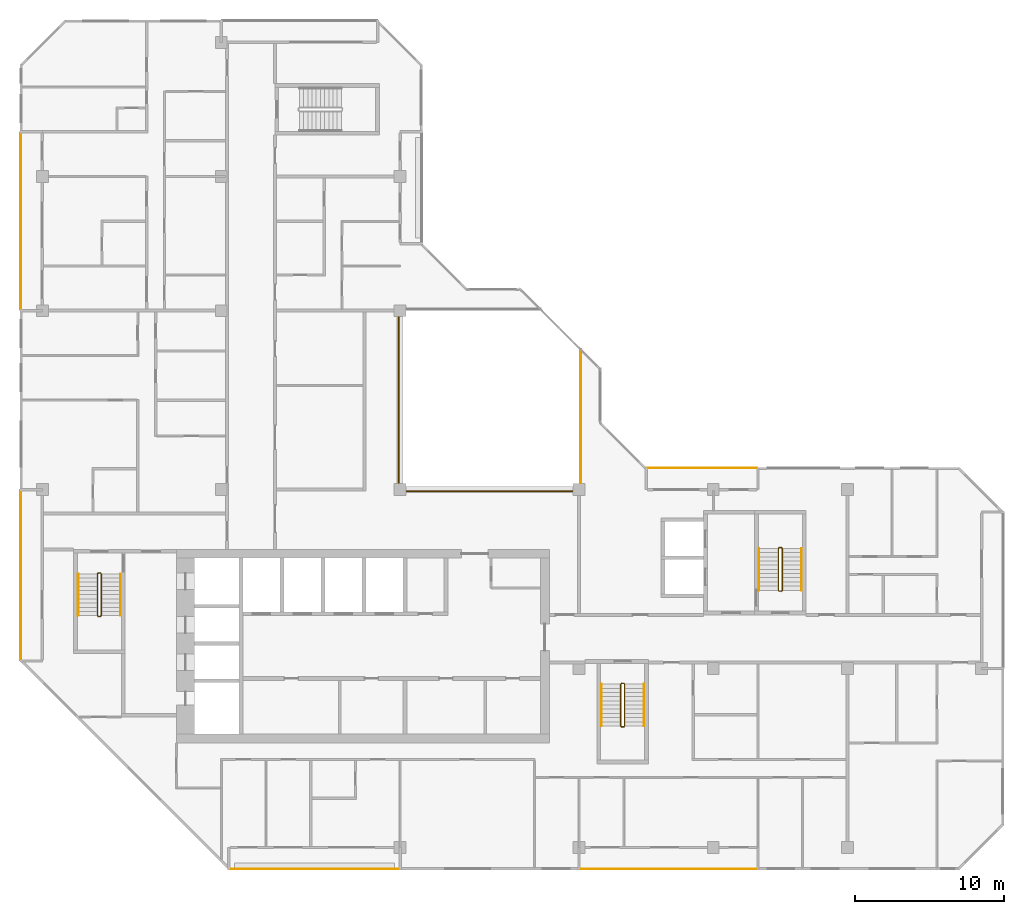
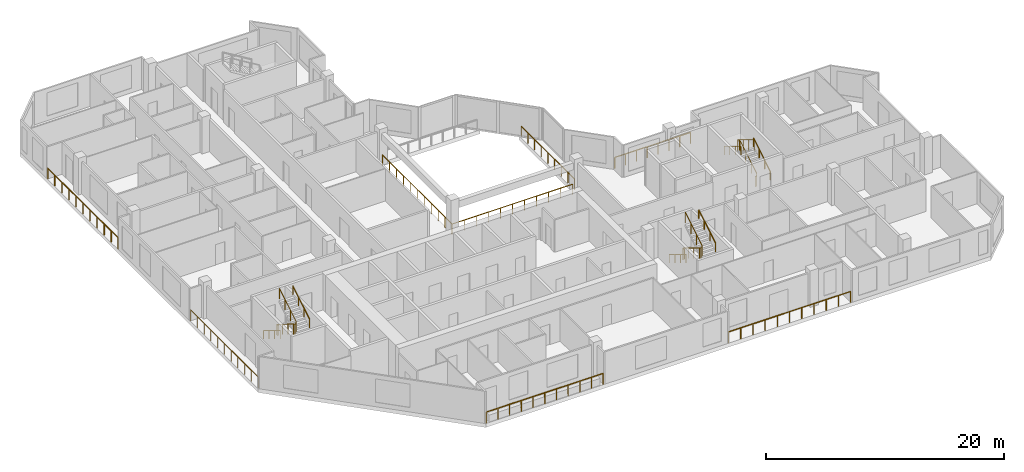
# One storey, part 12 of 13: 16 railings.
"""IFC4 building model written with IfcOpenShell, lengths in metres."""

import ifcopenshell
import ifcopenshell.guid

model = None  # the IFC model being written
_history = None  # IfcOwnerHistory: only IFC2X3 demands one
_inside = {}  # id of a spatial element -> (the spatial element, [elements in it])
_under = {}  # id of a project, library or spatial element -> (it, [spatial elements below it])
_declared = {}  # id of a project -> (the project, [libraries it declares])
_typed = {}  # id of a type object -> (the type object, [elements of that type])
_made_of = {}  # id of a material, layer set ... -> (it, [elements and type objects made of it])


def new_model(schema):
    """Start an empty IFC model of exactly this schema.

    Asked for "IFC4X3", IfcOpenShell would pick the latest addendum, in which some entities
    have other attributes; the version numbers below select the first issue.
    IFC2X3 requires an IfcOwnerHistory on every rooted entity: one is made here for all.
    """
    global model, _history
    if schema == "IFC4X3":
        model = ifcopenshell.file(schema_version=(4, 3, 0, 0))
    else:
        model = ifcopenshell.file(schema=schema)
    _inside.clear()
    _under.clear()
    _declared.clear()
    _typed.clear()
    _made_of.clear()
    _history = None
    if model.schema == "IFC2X3":
        org = make("IfcOrganization", Name="unknown")
        user = make(
            "IfcPersonAndOrganization",
            ThePerson=make("IfcPerson", FamilyName="unknown"),
            TheOrganization=org,
        )
        app = make(
            "IfcApplication",
            ApplicationDeveloper=org,
            Version="unknown",
            ApplicationFullName="unknown",
            ApplicationIdentifier="unknown",
        )
        _history = make(
            "IfcOwnerHistory",
            OwningUser=user,
            OwningApplication=app,
            ChangeAction="ADDED",
            CreationDate=0,
        )
    return model


def make(cls, **values):
    """One entity of the class cls with the attributes given. An attribute that is None is left unset."""
    return model.create_entity(
        cls, **{name: value for name, value in values.items() if value is not None}
    )


def rooted(cls, **values):
    """An entity with a GlobalId (a new one), such as an element, a storey or a relation."""
    return make(cls, GlobalId=ifcopenshell.guid.new(), OwnerHistory=_history, **values)


def si_unit(unit_type, name, prefix=None):
    """IfcSIUnit, for example si_unit("LENGTHUNIT", "METRE", prefix="MILLI")."""
    return make("IfcSIUnit", UnitType=unit_type, Prefix=prefix, Name=name)


def assignment(units):
    """IfcUnitAssignment: the units of a project."""
    return None if units is None else make("IfcUnitAssignment", Units=units)


def point(xyz):
    """IfcCartesianPoint."""
    return None if xyz is None else make("IfcCartesianPoint", Coordinates=xyz)


def direction(xyz):
    """IfcDirection."""
    return None if xyz is None else make("IfcDirection", DirectionRatios=xyz)


def frame(location, z_axis=None, x_axis=None):
    """IfcAxis2Placement3D, a coordinate frame: its origin and axes. An axis left out is left unset."""
    return make(
        "IfcAxis2Placement3D",
        Location=point(location),
        Axis=direction(z_axis),
        RefDirection=direction(x_axis),
    )


def frame_2d(location, x_axis=None):
    """IfcAxis2Placement2D, a coordinate frame in the plane: its origin and x axis."""
    return make(
        "IfcAxis2Placement2D", Location=point(location), RefDirection=direction(x_axis)
    )


def origin():
    """The frame at (0, 0, 0) with its axes left unset."""
    return frame((0.0, 0.0, 0.0))


def origin_2d():
    """The frame at (0, 0) in the plane with its x axis left unset."""
    return frame_2d((0.0, 0.0))


def place(relative_to, where):
    """IfcLocalPlacement: puts the frame where relative to a parent placement (None: the world)."""
    return make(
        "IfcLocalPlacement", PlacementRelTo=relative_to, RelativePlacement=where
    )


def context(
    kind, dimensions, precision=None, world=None, true_north=None, identifier=None
):
    """IfcGeometricRepresentationContext, for example the 3D "Model" context."""
    return make(
        "IfcGeometricRepresentationContext",
        ContextIdentifier=identifier,
        ContextType=kind,
        CoordinateSpaceDimension=dimensions,
        Precision=precision,
        WorldCoordinateSystem=world,
        TrueNorth=true_north,
    )


def subcontext(parent, identifier, kind, view, scale=None):
    """IfcGeometricRepresentationSubContext, for example "Body" below "Model"."""
    return make(
        "IfcGeometricRepresentationSubContext",
        ContextIdentifier=identifier,
        ContextType=kind,
        ParentContext=parent,
        TargetScale=scale,
        TargetView=view,
    )


def project(units=None, contexts=None):
    """IfcProject with its units and contexts."""
    return rooted(
        "IfcProject",
        Name="project",
        RepresentationContexts=contexts,
        UnitsInContext=assignment(units),
    )


def spatial(cls, under=None, at=None, **own):
    """A site, building, storey or space (cls), placed at a placement, below another one or the project."""
    s = rooted(cls, ObjectPlacement=at, **own)
    if under is not None:
        _under.setdefault(under.id(), (under, []))[1].append(s)
    return s


def profile(cls, at=None, kind="AREA", **sizes):
    """A parametric profile (cls). Its sizes go by their IFC names, for example OverallWidth=200.0."""
    return make(cls, ProfileType=kind, Position=at, **sizes)


def rectangle(**sizes):
    """IfcRectangleProfileDef."""
    return profile("IfcRectangleProfileDef", **sizes)


def extrude(swept, where, along, depth):
    """IfcExtrudedAreaSolid: the profile swept, set in the frame where, extruded along a direction by depth."""
    return make(
        "IfcExtrudedAreaSolid",
        SweptArea=swept,
        Position=where,
        ExtrudedDirection=direction(along),
        Depth=depth,
    )


def shape(context_of_items, identifier, shape_type, items):
    """IfcShapeRepresentation: the items that make up one representation, for example the "Body"."""
    return make(
        "IfcShapeRepresentation",
        ContextOfItems=context_of_items,
        RepresentationIdentifier=identifier,
        RepresentationType=shape_type,
        Items=items,
    )


def material(Name=None, Category=None):
    """IfcMaterial."""
    return make("IfcMaterial", Name=Name, Category=Category)


def made_of(thing, what):
    """Note that an element or type object is made of a material, layer set ...; save() writes the relation."""
    if what is not None:
        _made_of.setdefault(what.id(), (what, []))[1].append(thing)
    return thing


def type_object(cls, material=None, **own):
    """A type object (cls), such as IfcWallType, which elements share."""
    return made_of(rooted(cls, **own), material)


def element(
    cls,
    number,
    at=None,
    inside=None,
    cuts=None,
    type_object=None,
    material=None,
    context=None,
    identifier="Body",
    shape_type=None,
    held_by="IfcProductDefinitionShape",
    body=None,
    shapes=None,
    **own,
):
    """One element of the class cls, such as IfcWall. Its Tag is "e" and its number.

    at: its placement. inside: the storey or other place that contains it. cuts: it is an
    opening in that element (IfcRelVoidsElement). A single representation is given by context,
    identifier, shape_type and body (its items); several are given by shapes. held_by: the class
    of the entity that holds the representations. save() writes the other relations.
    """
    e = rooted(cls, Tag="e%d" % number, ObjectPlacement=at, **own)
    if body is not None:
        shapes = [shape(context, identifier, shape_type, body)]
    if shapes is not None:
        e.Representation = make(held_by, Representations=shapes)
    if inside is not None:
        _inside.setdefault(inside.id(), (inside, []))[1].append(e)
    if cuts is not None:
        rooted(
            "IfcRelVoidsElement", RelatingBuildingElement=cuts, RelatedOpeningElement=e
        )
    if type_object is not None:
        _typed.setdefault(type_object.id(), (type_object, []))[1].append(e)
    return made_of(e, material)


def aggregate(whole, parts):
    """IfcRelAggregates: a whole, such as a stair, and the parts it consists of."""
    return rooted("IfcRelAggregates", RelatingObject=whole, RelatedObjects=parts)


def save(model, path):
    """Write the relations noted so far, then the file.

    IfcRelAggregates (storeys below a building ...), IfcRelContainedInSpatialStructure (elements
    in a storey), IfcRelDefinesByType, IfcRelAssociatesMaterial and IfcRelDeclares: one each for
    every whole, place, type object, material and project.
    """
    for whole, parts in _under.values():
        aggregate(whole, parts)
    for where, things in _inside.values():
        rooted(
            "IfcRelContainedInSpatialStructure",
            RelatedElements=things,
            RelatingStructure=where,
        )
    for kind, things in _typed.values():
        rooted("IfcRelDefinesByType", RelatedObjects=things, RelatingType=kind)
    for what, things in _made_of.values():
        rooted("IfcRelAssociatesMaterial", RelatedObjects=things, RelatingMaterial=what)
    for by, libraries in _declared.values():
        rooted("IfcRelDeclares", RelatingContext=by, RelatedDefinitions=libraries)
    model.write(path)


model = new_model("IFC4")

# Units and contexts
model_context = context("Model", 3, precision=1e-05, world=origin(), true_north=direction((0.0, 1.0)))
body_context = subcontext(model_context, "Body", "Model", "MODEL_VIEW")
ifc_project = project(units=[si_unit("LENGTHUNIT", "METRE"), si_unit("AREAUNIT", "SQUARE_METRE"), si_unit("VOLUMEUNIT", "CUBIC_METRE"), si_unit("PLANEANGLEUNIT", "RADIAN"), si_unit("MASSUNIT", "GRAM", prefix="KILO")], contexts=[model_context])

# Site, building, storey
site_placement = place(None, origin())
site = spatial("IfcSite", under=ifc_project, at=site_placement, CompositionType="ELEMENT")
building_placement = place(site_placement, origin())
building = spatial("IfcBuilding", under=site, at=building_placement, Name="Chenar Terraces", CompositionType="ELEMENT")
storey_placement = place(building_placement, frame((0.0, 0.0, 318.39990234375)))
storey = spatial("IfcBuildingStorey", under=building, at=storey_placement, Name="L75", CompositionType="ELEMENT", Elevation=318.39990234375)

# Railings
ifc_material_1 = material(Name="Powder-coated steel", Category="steel")
railing_type_1 = type_object("IfcRailingType", Name="Guard 1100 steel rail with glass infill", PredefinedType="GUARDRAIL", material=ifc_material_1)
railing_1_placement = place(storey_placement, frame((23.89990234375, 35.60009765625, 0.0)))
element("IfcRailing", 1, at=railing_1_placement, inside=storey, type_object=railing_type_1, Name="Guard L75-1", PredefinedType="GUARDRAIL", context=body_context, shape_type="SweptSolid", body=[
    extrude(rectangle(XDim=0.06005859375, YDim=0.06005859375, at=origin_2d()), frame((0.0, 0.0, 1.070068359375), z_axis=(0.0, -1.0, 0.0), x_axis=(1.0, 0.0, 0.0)), (0.0, 0.0, 1.0), 11.7001953125),
    extrude(rectangle(XDim=0.06005859375, YDim=0.06005859375, at=origin_2d()), frame((0.0, -11.7001953125, 1.070068359375), z_axis=(1.0, 0.0, 0.0), x_axis=(0.0, 1.0, 0.0)), (0.0, 0.0, 1.0), 11.7001953125),
    extrude(rectangle(XDim=0.050048828125, YDim=0.050048828125, at=origin_2d()), origin(), (0.0, 0.0, 1.0), 1.0400390625),
    extrude(rectangle(XDim=0.050048828125, YDim=0.050048828125, at=origin_2d()), frame((0.0, -1.169921875, 0.0)), (0.0, 0.0, 1.0), 1.0400390625),
    extrude(rectangle(XDim=0.050048828125, YDim=0.050048828125, at=origin_2d()), frame((0.0, -2.340087890625, 0.0)), (0.0, 0.0, 1.0), 1.0400390625),
    extrude(rectangle(XDim=0.050048828125, YDim=0.050048828125, at=origin_2d()), frame((0.0, -3.510009765625, 0.0)), (0.0, 0.0, 1.0), 1.0400390625),
    extrude(rectangle(XDim=0.050048828125, YDim=0.050048828125, at=origin_2d()), frame((0.0, -4.68017578125, 0.0)), (0.0, 0.0, 1.0), 1.0400390625),
    extrude(rectangle(XDim=0.050048828125, YDim=0.050048828125, at=origin_2d()), frame((0.0, -5.85009765625, 0.0)), (0.0, 0.0, 1.0), 1.0400390625),
    extrude(rectangle(XDim=0.050048828125, YDim=0.050048828125, at=origin_2d()), frame((0.0, -7.02001953125, 0.0)), (0.0, 0.0, 1.0), 1.0400390625),
    extrude(rectangle(XDim=0.050048828125, YDim=0.050048828125, at=origin_2d()), frame((0.0, -8.190185546875, 0.0)), (0.0, 0.0, 1.0), 1.0400390625),
    extrude(rectangle(XDim=0.050048828125, YDim=0.050048828125, at=origin_2d()), frame((0.0, -9.360107421875, 0.0)), (0.0, 0.0, 1.0), 1.0400390625),
    extrude(rectangle(XDim=0.050048828125, YDim=0.050048828125, at=origin_2d()), frame((0.0, -10.5302734375, 0.0)), (0.0, 0.0, 1.0), 1.0400390625),
    extrude(rectangle(XDim=0.050048828125, YDim=0.050048828125, at=origin_2d()), frame((0.0, -11.7001953125, 0.0)), (0.0, 0.0, 1.0), 1.0400390625),
    extrude(rectangle(XDim=0.050048828125, YDim=0.050048828125, at=origin_2d()), frame((1.169921875, -11.7001953125, 0.0)), (0.0, 0.0, 1.0), 1.0400390625),
    extrude(rectangle(XDim=0.050048828125, YDim=0.050048828125, at=origin_2d()), frame((2.340087890625, -11.7001953125, 0.0)), (0.0, 0.0, 1.0), 1.0400390625),
    extrude(rectangle(XDim=0.050048828125, YDim=0.050048828125, at=origin_2d()), frame((3.510009765625, -11.7001953125, 0.0)), (0.0, 0.0, 1.0), 1.0400390625),
    extrude(rectangle(XDim=0.050048828125, YDim=0.050048828125, at=origin_2d()), frame((4.68017578125, -11.7001953125, 0.0)), (0.0, 0.0, 1.0), 1.0400390625),
    extrude(rectangle(XDim=0.050048828125, YDim=0.050048828125, at=origin_2d()), frame((5.85009765625, -11.7001953125, 0.0)), (0.0, 0.0, 1.0), 1.0400390625),
    extrude(rectangle(XDim=0.050048828125, YDim=0.050048828125, at=origin_2d()), frame((7.02001953125, -11.7001953125, 0.0)), (0.0, 0.0, 1.0), 1.0400390625),
    extrude(rectangle(XDim=0.050048828125, YDim=0.050048828125, at=origin_2d()), frame((8.190185546875, -11.7001953125, 0.0)), (0.0, 0.0, 1.0), 1.0400390625),
    extrude(rectangle(XDim=0.050048828125, YDim=0.050048828125, at=origin_2d()), frame((9.360107421875, -11.7001953125, 0.0)), (0.0, 0.0, 1.0), 1.0400390625),
    extrude(rectangle(XDim=0.050048828125, YDim=0.050048828125, at=origin_2d()), frame((10.5302734375, -11.7001953125, 0.0)), (0.0, 0.0, 1.0), 1.0400390625),
    extrude(rectangle(XDim=0.050048828125, YDim=0.050048828125, at=origin_2d()), frame((11.7001953125, -11.7001953125, 0.0)), (0.0, 0.0, 1.0), 1.0400390625),
])
railing_2_placement = place(storey_placement, frame((36.10009765625, 24.449951171875, 0.0)))
element("IfcRailing", 2, at=railing_2_placement, inside=storey, type_object=railing_type_1, Name="Guard L75-3", PredefinedType="GUARDRAIL", context=body_context, shape_type="SweptSolid", body=[
    extrude(rectangle(XDim=0.06005859375, YDim=0.06005859375, at=origin_2d()), frame((0.0, 0.0, 1.070068359375), z_axis=(0.0, 1.0, 0.0), x_axis=(-1.0, 0.0, 0.0)), (0.0, 0.0, 1.0), 8.949951171875),
    extrude(rectangle(XDim=0.050048828125, YDim=0.050048828125, at=origin_2d()), origin(), (0.0, 0.0, 1.0), 1.0400390625),
    extrude(rectangle(XDim=0.050048828125, YDim=0.050048828125, at=origin_2d()), frame((0.0, 1.11865234375, 0.0)), (0.0, 0.0, 1.0), 1.0400390625),
    extrude(rectangle(XDim=0.050048828125, YDim=0.050048828125, at=origin_2d()), frame((0.0, 2.237548828125, 0.0)), (0.0, 0.0, 1.0), 1.0400390625),
    extrude(rectangle(XDim=0.050048828125, YDim=0.050048828125, at=origin_2d()), frame((0.0, 3.356201171875, 0.0)), (0.0, 0.0, 1.0), 1.0400390625),
    extrude(rectangle(XDim=0.050048828125, YDim=0.050048828125, at=origin_2d()), frame((0.0, 4.47509765625, 0.0)), (0.0, 0.0, 1.0), 1.0400390625),
    extrude(rectangle(XDim=0.050048828125, YDim=0.050048828125, at=origin_2d()), frame((0.0, 5.59375, 0.0)), (0.0, 0.0, 1.0), 1.0400390625),
    extrude(rectangle(XDim=0.050048828125, YDim=0.050048828125, at=origin_2d()), frame((0.0, 6.71240234375, 0.0)), (0.0, 0.0, 1.0), 1.0400390625),
    extrude(rectangle(XDim=0.050048828125, YDim=0.050048828125, at=origin_2d()), frame((0.0, 7.831298828125, 0.0)), (0.0, 0.0, 1.0), 1.0400390625),
    extrude(rectangle(XDim=0.050048828125, YDim=0.050048828125, at=origin_2d()), frame((0.0, 8.949951171875, 0.0)), (0.0, 0.0, 1.0), 1.0400390625),
])
ifc_material_2 = material(Name="Stainless steel and glass", Category="steel")
railing_type_2 = type_object("IfcRailingType", Name="Loggia guard 1150", PredefinedType="GUARDRAIL", material=ifc_material_2)
railing_3_placement = place(storey_placement, frame((47.925048828125, 25.449951171875, 0.0)))
element("IfcRailing", 3, at=railing_3_placement, inside=storey, type_object=railing_type_2, Name="Loggia guard", PredefinedType="GUARDRAIL", context=body_context, shape_type="SweptSolid", body=[
    extrude(rectangle(XDim=0.048095703125, YDim=0.048095703125, at=origin_2d()), frame((0.0, 0.0, 1.1259765625), z_axis=(-1.0, 0.0, 0.0), x_axis=(0.0, -1.0, 0.0)), (0.0, 0.0, 1.0), 7.35009765625),
    extrude(rectangle(XDim=0.0419921875, YDim=0.0419921875, at=origin_2d()), origin(), (0.0, 0.0, 1.0), 1.101806640625),
    extrude(rectangle(XDim=0.0419921875, YDim=0.0419921875, at=origin_2d()), frame((-1.050048828125, 0.0, 0.0)), (0.0, 0.0, 1.0), 1.101806640625),
    extrude(rectangle(XDim=0.0419921875, YDim=0.0419921875, at=origin_2d()), frame((-2.10009765625, 0.0, 0.0)), (0.0, 0.0, 1.0), 1.101806640625),
    extrude(rectangle(XDim=0.0419921875, YDim=0.0419921875, at=origin_2d()), frame((-3.150146484375, 0.0, 0.0)), (0.0, 0.0, 1.0), 1.101806640625),
    extrude(rectangle(XDim=0.0419921875, YDim=0.0419921875, at=origin_2d()), frame((-4.199951171875, 0.0, 0.0)), (0.0, 0.0, 1.0), 1.101806640625),
    extrude(rectangle(XDim=0.0419921875, YDim=0.0419921875, at=origin_2d()), frame((-5.25, 0.0, 0.0)), (0.0, 0.0, 1.0), 1.101806640625),
    extrude(rectangle(XDim=0.0419921875, YDim=0.0419921875, at=origin_2d()), frame((-6.300048828125, 0.0, 0.0)), (0.0, 0.0, 1.0), 1.101806640625),
    extrude(rectangle(XDim=0.0419921875, YDim=0.0419921875, at=origin_2d()), frame((-7.35009765625, 0.0, 0.0)), (0.0, 0.0, 1.0), 1.101806640625),
])
railing_4_placement = place(storey_placement, frame((12.574951171875, -1.449951171875, 0.0)))
element("IfcRailing", 4, at=railing_4_placement, inside=storey, type_object=railing_type_2, Name="Loggia guard", PredefinedType="GUARDRAIL", context=body_context, shape_type="SweptSolid", body=[
    extrude(rectangle(XDim=0.048095703125, YDim=0.048095703125, at=origin_2d()), frame((0.0, 0.0, 1.1259765625), z_axis=(1.0, 0.0, 0.0), x_axis=(0.0, 1.0, 0.0)), (0.0, 0.0, 1.0), 11.35009765625),
    extrude(rectangle(XDim=0.0419921875, YDim=0.0419921875, at=origin_2d()), origin(), (0.0, 0.0, 1.0), 1.101806640625),
    extrude(rectangle(XDim=0.0419921875, YDim=0.0419921875, at=origin_2d()), frame((1.135009765625, 0.0, 0.0)), (0.0, 0.0, 1.0), 1.101806640625),
    extrude(rectangle(XDim=0.0419921875, YDim=0.0419921875, at=origin_2d()), frame((2.27001953125, 0.0, 0.0)), (0.0, 0.0, 1.0), 1.101806640625),
    extrude(rectangle(XDim=0.0419921875, YDim=0.0419921875, at=origin_2d()), frame((3.405029296875, 0.0, 0.0)), (0.0, 0.0, 1.0), 1.101806640625),
    extrude(rectangle(XDim=0.0419921875, YDim=0.0419921875, at=origin_2d()), frame((4.5400390625, 0.0, 0.0)), (0.0, 0.0, 1.0), 1.101806640625),
    extrude(rectangle(XDim=0.0419921875, YDim=0.0419921875, at=origin_2d()), frame((5.675048828125, 0.0, 0.0)), (0.0, 0.0, 1.0), 1.101806640625),
    extrude(rectangle(XDim=0.0419921875, YDim=0.0419921875, at=origin_2d()), frame((6.81005859375, 0.0, 0.0)), (0.0, 0.0, 1.0), 1.101806640625),
    extrude(rectangle(XDim=0.0419921875, YDim=0.0419921875, at=origin_2d()), frame((7.945068359375, 0.0, 0.0)), (0.0, 0.0, 1.0), 1.101806640625),
    extrude(rectangle(XDim=0.0419921875, YDim=0.0419921875, at=origin_2d()), frame((9.080078125, 0.0, 0.0)), (0.0, 0.0, 1.0), 1.101806640625),
    extrude(rectangle(XDim=0.0419921875, YDim=0.0419921875, at=origin_2d()), frame((10.215087890625, 0.0, 0.0)), (0.0, 0.0, 1.0), 1.101806640625),
    extrude(rectangle(XDim=0.0419921875, YDim=0.0419921875, at=origin_2d()), frame((11.35009765625, 0.0, 0.0)), (0.0, 0.0, 1.0), 1.101806640625),
])
railing_5_placement = place(storey_placement, frame((36.074951171875, -1.449951171875, 0.0)))
element("IfcRailing", 5, at=railing_5_placement, inside=storey, type_object=railing_type_2, Name="Loggia guard", PredefinedType="GUARDRAIL", context=body_context, shape_type="SweptSolid", body=[
    extrude(rectangle(XDim=0.048095703125, YDim=0.048095703125, at=origin_2d()), frame((0.0, 0.0, 1.1259765625), z_axis=(1.0, 0.0, 0.0), x_axis=(0.0, 1.0, 0.0)), (0.0, 0.0, 1.0), 11.85009765625),
    extrude(rectangle(XDim=0.0419921875, YDim=0.0419921875, at=origin_2d()), origin(), (0.0, 0.0, 1.0), 1.101806640625),
    extrude(rectangle(XDim=0.0419921875, YDim=0.0419921875, at=origin_2d()), frame((1.18505859375, 0.0, 0.0)), (0.0, 0.0, 1.0), 1.101806640625),
    extrude(rectangle(XDim=0.0419921875, YDim=0.0419921875, at=origin_2d()), frame((2.3701171875, 0.0, 0.0)), (0.0, 0.0, 1.0), 1.101806640625),
    extrude(rectangle(XDim=0.0419921875, YDim=0.0419921875, at=origin_2d()), frame((3.554931640625, 0.0, 0.0)), (0.0, 0.0, 1.0), 1.101806640625),
    extrude(rectangle(XDim=0.0419921875, YDim=0.0419921875, at=origin_2d()), frame((4.739990234375, 0.0, 0.0)), (0.0, 0.0, 1.0), 1.101806640625),
    extrude(rectangle(XDim=0.0419921875, YDim=0.0419921875, at=origin_2d()), frame((5.925048828125, 0.0, 0.0)), (0.0, 0.0, 1.0), 1.101806640625),
    extrude(rectangle(XDim=0.0419921875, YDim=0.0419921875, at=origin_2d()), frame((7.110107421875, 0.0, 0.0)), (0.0, 0.0, 1.0), 1.101806640625),
    extrude(rectangle(XDim=0.0419921875, YDim=0.0419921875, at=origin_2d()), frame((8.295166015625, 0.0, 0.0)), (0.0, 0.0, 1.0), 1.101806640625),
    extrude(rectangle(XDim=0.0419921875, YDim=0.0419921875, at=origin_2d()), frame((9.47998046875, 0.0, 0.0)), (0.0, 0.0, 1.0), 1.101806640625),
    extrude(rectangle(XDim=0.0419921875, YDim=0.0419921875, at=origin_2d()), frame((10.6650390625, 0.0, 0.0)), (0.0, 0.0, 1.0), 1.101806640625),
    extrude(rectangle(XDim=0.0419921875, YDim=0.0419921875, at=origin_2d()), frame((11.85009765625, 0.0, 0.0)), (0.0, 0.0, 1.0), 1.101806640625),
])
railing_6_placement = place(storey_placement, frame((-1.449951171875, 47.925048828125, 0.0)))
element("IfcRailing", 6, at=railing_6_placement, inside=storey, type_object=railing_type_2, Name="Loggia guard", PredefinedType="GUARDRAIL", context=body_context, shape_type="SweptSolid", body=[
    extrude(rectangle(XDim=0.048095703125, YDim=0.048095703125, at=origin_2d()), frame((0.0, 0.0, 1.1259765625), z_axis=(0.0, -1.0, 0.0), x_axis=(1.0, 0.0, 0.0)), (0.0, 0.0, 1.0), 11.85009765625),
    extrude(rectangle(XDim=0.0419921875, YDim=0.0419921875, at=origin_2d()), origin(), (0.0, 0.0, 1.0), 1.101806640625),
    extrude(rectangle(XDim=0.0419921875, YDim=0.0419921875, at=origin_2d()), frame((0.0, -1.18505859375, 0.0)), (0.0, 0.0, 1.0), 1.101806640625),
    extrude(rectangle(XDim=0.0419921875, YDim=0.0419921875, at=origin_2d()), frame((0.0, -2.3701171875, 0.0)), (0.0, 0.0, 1.0), 1.101806640625),
    extrude(rectangle(XDim=0.0419921875, YDim=0.0419921875, at=origin_2d()), frame((0.0, -3.554931640625, 0.0)), (0.0, 0.0, 1.0), 1.101806640625),
    extrude(rectangle(XDim=0.0419921875, YDim=0.0419921875, at=origin_2d()), frame((0.0, -4.739990234375, 0.0)), (0.0, 0.0, 1.0), 1.101806640625),
    extrude(rectangle(XDim=0.0419921875, YDim=0.0419921875, at=origin_2d()), frame((0.0, -5.925048828125, 0.0)), (0.0, 0.0, 1.0), 1.101806640625),
    extrude(rectangle(XDim=0.0419921875, YDim=0.0419921875, at=origin_2d()), frame((0.0, -7.110107421875, 0.0)), (0.0, 0.0, 1.0), 1.101806640625),
    extrude(rectangle(XDim=0.0419921875, YDim=0.0419921875, at=origin_2d()), frame((0.0, -8.295166015625, 0.0)), (0.0, 0.0, 1.0), 1.101806640625),
    extrude(rectangle(XDim=0.0419921875, YDim=0.0419921875, at=origin_2d()), frame((0.0, -9.47998046875, 0.0)), (0.0, 0.0, 1.0), 1.101806640625),
    extrude(rectangle(XDim=0.0419921875, YDim=0.0419921875, at=origin_2d()), frame((0.0, -10.6650390625, 0.0)), (0.0, 0.0, 1.0), 1.101806640625),
    extrude(rectangle(XDim=0.0419921875, YDim=0.0419921875, at=origin_2d()), frame((0.0, -11.85009765625, 0.0)), (0.0, 0.0, 1.0), 1.101806640625),
])
railing_7_placement = place(storey_placement, frame((-1.449951171875, 23.925048828125, 0.0)))
element("IfcRailing", 7, at=railing_7_placement, inside=storey, type_object=railing_type_2, Name="Loggia guard", PredefinedType="GUARDRAIL", context=body_context, shape_type="SweptSolid", body=[
    extrude(rectangle(XDim=0.048095703125, YDim=0.048095703125, at=origin_2d()), frame((0.0, 0.0, 1.1259765625), z_axis=(0.0, -1.0, 0.0), x_axis=(1.0, 0.0, 0.0)), (0.0, 0.0, 1.0), 11.35009765625),
    extrude(rectangle(XDim=0.0419921875, YDim=0.0419921875, at=origin_2d()), origin(), (0.0, 0.0, 1.0), 1.101806640625),
    extrude(rectangle(XDim=0.0419921875, YDim=0.0419921875, at=origin_2d()), frame((0.0, -1.135009765625, 0.0)), (0.0, 0.0, 1.0), 1.101806640625),
    extrude(rectangle(XDim=0.0419921875, YDim=0.0419921875, at=origin_2d()), frame((0.0, -2.27001953125, 0.0)), (0.0, 0.0, 1.0), 1.101806640625),
    extrude(rectangle(XDim=0.0419921875, YDim=0.0419921875, at=origin_2d()), frame((0.0, -3.405029296875, 0.0)), (0.0, 0.0, 1.0), 1.101806640625),
    extrude(rectangle(XDim=0.0419921875, YDim=0.0419921875, at=origin_2d()), frame((0.0, -4.5400390625, 0.0)), (0.0, 0.0, 1.0), 1.101806640625),
    extrude(rectangle(XDim=0.0419921875, YDim=0.0419921875, at=origin_2d()), frame((0.0, -5.675048828125, 0.0)), (0.0, 0.0, 1.0), 1.101806640625),
    extrude(rectangle(XDim=0.0419921875, YDim=0.0419921875, at=origin_2d()), frame((0.0, -6.81005859375, 0.0)), (0.0, 0.0, 1.0), 1.101806640625),
    extrude(rectangle(XDim=0.0419921875, YDim=0.0419921875, at=origin_2d()), frame((0.0, -7.945068359375, 0.0)), (0.0, 0.0, 1.0), 1.101806640625),
    extrude(rectangle(XDim=0.0419921875, YDim=0.0419921875, at=origin_2d()), frame((0.0, -9.080078125, 0.0)), (0.0, 0.0, 1.0), 1.101806640625),
    extrude(rectangle(XDim=0.0419921875, YDim=0.0419921875, at=origin_2d()), frame((0.0, -10.215087890625, 0.0)), (0.0, 0.0, 1.0), 1.101806640625),
    extrude(rectangle(XDim=0.0419921875, YDim=0.0419921875, at=origin_2d()), frame((0.0, -11.35009765625, 0.0)), (0.0, 0.0, 1.0), 1.101806640625),
])
ifc_material_3 = material(Name="Powder-coated steel", Category="steel")
railing_type_3 = type_object("IfcRailingType", Name="Stair guard 1100", PredefinedType="GUARDRAIL", material=ifc_material_3)
railing_8_placement = place(storey_placement, frame((3.949951171875, 18.35009765625, 3.75)))
element("IfcRailing", 8, at=railing_8_placement, inside=storey, type_object=railing_type_3, Name="L75 ST1 stair guard 1", PredefinedType="GUARDRAIL", context=body_context, shape_type="SweptSolid", body=[
    extrude(rectangle(XDim=0.048095703125, YDim=0.048095703125, at=origin_2d()), frame((0.0, 0.0, 1.076171875), z_axis=(0.0, -0.854202870247, -0.519939858505), x_axis=(1.0, 0.0, 0.0)), (0.0, 0.0, 1.0), 3.278076171875),
    extrude(rectangle(XDim=0.048095703125, YDim=0.048095703125, at=origin_2d()), frame((0.0, -2.800048828125, -0.62841796875), z_axis=(-0.270899902878, -0.270899902878, -0.923702595667), x_axis=(0.707106781187, -0.707106781187, 0.0)), (0.0, 0.0, 1.0), 0.184814453125),
    extrude(rectangle(XDim=0.048095703125, YDim=0.048095703125, at=origin_2d()), frame((-0.050048828125, -2.85009765625, -0.798828125), z_axis=(-1.0, 0.0, 0.0), x_axis=(0.0, -1.0, 0.0)), (0.0, 0.0, 1.0), 0.14990234375),
    extrude(rectangle(XDim=0.048095703125, YDim=0.048095703125, at=origin_2d()), frame((-0.199951171875, -2.85009765625, -0.798828125), z_axis=(-0.707106781187, 0.707106781187, 0.0), x_axis=(-0.707106781187, -0.707106781187, 0.0)), (0.0, 0.0, 1.0), 0.07080078125),
    extrude(rectangle(XDim=0.048095703125, YDim=0.048095703125, at=origin_2d()), frame((-0.25, -2.800048828125, -0.798828125), z_axis=(0.0, 0.854202870247, -0.519939858505), x_axis=(-1.0, 0.0, 0.0)), (0.0, 0.0, 1.0), 3.278076171875),
    extrude(rectangle(XDim=0.048095703125, YDim=0.048095703125, at=origin_2d()), frame((-0.25, 0.0, -2.50341796875), z_axis=(0.270996696079, 0.269674760976, -0.924032636873), x_axis=(-0.705375805398, 0.708833529934, 0.0)), (0.0, 0.0, 1.0), 0.1845703125),
    extrude(rectangle(XDim=0.048095703125, YDim=0.048095703125, at=origin_2d()), frame((-0.199951171875, 0.0498046875, -2.673828125), z_axis=(1.0, 0.0, 0.0), x_axis=(0.0, 1.0, 0.0)), (0.0, 0.0, 1.0), 0.14990234375),
    extrude(rectangle(XDim=0.0419921875, YDim=0.0419921875, at=origin_2d()), origin(), (0.0, 0.0, 1.0), 1.052001953125),
    extrude(rectangle(XDim=0.0419921875, YDim=0.0419921875, at=origin_2d()), frame((0.0, -0.933349609375, -0.568115234375)), (0.0, 0.0, 1.0), 1.052001953125),
    extrude(rectangle(XDim=0.0419921875, YDim=0.0419921875, at=origin_2d()), frame((0.0, -1.86669921875, -1.13623046875)), (0.0, 0.0, 1.0), 1.052001953125),
    extrude(rectangle(XDim=0.0419921875, YDim=0.0419921875, at=origin_2d()), frame((0.0, -2.800048828125, -1.704345703125)), (0.0, 0.0, 1.0), 1.052001953125),
    extrude(rectangle(XDim=0.0419921875, YDim=0.0419921875, at=origin_2d()), frame((-0.050048828125, -2.85009765625, -1.875)), (0.0, 0.0, 1.0), 1.052001953125),
    extrude(rectangle(XDim=0.0419921875, YDim=0.0419921875, at=origin_2d()), frame((-0.199951171875, -2.85009765625, -1.875)), (0.0, 0.0, 1.0), 1.052001953125),
    extrude(rectangle(XDim=0.0419921875, YDim=0.0419921875, at=origin_2d()), frame((-0.25, -2.800048828125, -1.875)), (0.0, 0.0, 1.0), 1.052001953125),
    extrude(rectangle(XDim=0.0419921875, YDim=0.0419921875, at=origin_2d()), frame((-0.25, -1.86669921875, -2.443115234375)), (0.0, 0.0, 1.0), 1.052001953125),
    extrude(rectangle(XDim=0.0419921875, YDim=0.0419921875, at=origin_2d()), frame((-0.25, -0.933349609375, -3.01123046875)), (0.0, 0.0, 1.0), 1.052001953125),
    extrude(rectangle(XDim=0.0419921875, YDim=0.0419921875, at=origin_2d()), frame((-0.25, 0.0, -3.579345703125)), (0.0, 0.0, 1.0), 1.052001953125),
    extrude(rectangle(XDim=0.0419921875, YDim=0.0419921875, at=origin_2d()), frame((-0.199951171875, 0.0498046875, -3.75)), (0.0, 0.0, 1.0), 1.052001953125),
    extrude(rectangle(XDim=0.0419921875, YDim=0.0419921875, at=origin_2d()), frame((-0.050048828125, 0.0498046875, -3.75)), (0.0, 0.0, 1.0), 1.052001953125),
])
railing_9_placement = place(storey_placement, frame((39.050048828125, 10.949951171875, 3.75)))
element("IfcRailing", 9, at=railing_9_placement, inside=storey, type_object=railing_type_3, Name="L75 ST2 stair guard 1", PredefinedType="GUARDRAIL", context=body_context, shape_type="SweptSolid", body=[
    extrude(rectangle(XDim=0.048095703125, YDim=0.048095703125, at=origin_2d()), frame((0.0, 0.0, 1.076171875), z_axis=(0.0, -0.854202870247, -0.519939858505), x_axis=(1.0, 0.0, 0.0)), (0.0, 0.0, 1.0), 3.278076171875),
    extrude(rectangle(XDim=0.048095703125, YDim=0.048095703125, at=origin_2d()), frame((0.0, -2.800048828125, -0.62841796875), z_axis=(-0.270996696079, -0.269674760976, -0.924032636873), x_axis=(0.705375805398, -0.708833529934, 0.0)), (0.0, 0.0, 1.0), 0.1845703125),
    extrude(rectangle(XDim=0.048095703125, YDim=0.048095703125, at=origin_2d()), frame((-0.050048828125, -2.849853515625, -0.798828125), z_axis=(-1.0, 0.0, 0.0), x_axis=(0.0, -1.0, 0.0)), (0.0, 0.0, 1.0), 0.14990234375),
    extrude(rectangle(XDim=0.048095703125, YDim=0.048095703125, at=origin_2d()), frame((-0.199951171875, -2.849853515625, -0.798828125), z_axis=(-0.708833529934, 0.705375805398, 0.0), x_axis=(-0.705375805398, -0.708833529934, 0.0)), (0.0, 0.0, 1.0), 0.070556640625),
    extrude(rectangle(XDim=0.048095703125, YDim=0.048095703125, at=origin_2d()), frame((-0.25, -2.800048828125, -0.798828125), z_axis=(0.0, 0.854202870247, -0.519939858505), x_axis=(-1.0, 0.0, 0.0)), (0.0, 0.0, 1.0), 3.278076171875),
    extrude(rectangle(XDim=0.048095703125, YDim=0.048095703125, at=origin_2d()), frame((-0.25, 0.0, -2.50341796875), z_axis=(0.270899902878, 0.270899902878, -0.923702595667), x_axis=(-0.707106781187, 0.707106781187, 0.0)), (0.0, 0.0, 1.0), 0.184814453125),
    extrude(rectangle(XDim=0.048095703125, YDim=0.048095703125, at=origin_2d()), frame((-0.199951171875, 0.050048828125, -2.673828125), z_axis=(1.0, 0.0, 0.0), x_axis=(0.0, 1.0, 0.0)), (0.0, 0.0, 1.0), 0.14990234375),
    extrude(rectangle(XDim=0.0419921875, YDim=0.0419921875, at=origin_2d()), origin(), (0.0, 0.0, 1.0), 1.052001953125),
    extrude(rectangle(XDim=0.0419921875, YDim=0.0419921875, at=origin_2d()), frame((0.0, -0.933349609375, -0.568115234375)), (0.0, 0.0, 1.0), 1.052001953125),
    extrude(rectangle(XDim=0.0419921875, YDim=0.0419921875, at=origin_2d()), frame((0.0, -1.86669921875, -1.13623046875)), (0.0, 0.0, 1.0), 1.052001953125),
    extrude(rectangle(XDim=0.0419921875, YDim=0.0419921875, at=origin_2d()), frame((0.0, -2.800048828125, -1.704345703125)), (0.0, 0.0, 1.0), 1.052001953125),
    extrude(rectangle(XDim=0.0419921875, YDim=0.0419921875, at=origin_2d()), frame((-0.050048828125, -2.849853515625, -1.875)), (0.0, 0.0, 1.0), 1.052001953125),
    extrude(rectangle(XDim=0.0419921875, YDim=0.0419921875, at=origin_2d()), frame((-0.199951171875, -2.849853515625, -1.875)), (0.0, 0.0, 1.0), 1.052001953125),
    extrude(rectangle(XDim=0.0419921875, YDim=0.0419921875, at=origin_2d()), frame((-0.25, -2.800048828125, -1.875)), (0.0, 0.0, 1.0), 1.052001953125),
    extrude(rectangle(XDim=0.0419921875, YDim=0.0419921875, at=origin_2d()), frame((-0.25, -1.86669921875, -2.443115234375)), (0.0, 0.0, 1.0), 1.052001953125),
    extrude(rectangle(XDim=0.0419921875, YDim=0.0419921875, at=origin_2d()), frame((-0.25, -0.933349609375, -3.01123046875)), (0.0, 0.0, 1.0), 1.052001953125),
    extrude(rectangle(XDim=0.0419921875, YDim=0.0419921875, at=origin_2d()), frame((-0.25, 0.0, -3.579345703125)), (0.0, 0.0, 1.0), 1.052001953125),
    extrude(rectangle(XDim=0.0419921875, YDim=0.0419921875, at=origin_2d()), frame((-0.199951171875, 0.050048828125, -3.75)), (0.0, 0.0, 1.0), 1.052001953125),
    extrude(rectangle(XDim=0.0419921875, YDim=0.0419921875, at=origin_2d()), frame((-0.050048828125, 0.050048828125, -3.75)), (0.0, 0.0, 1.0), 1.052001953125),
])
railing_10_placement = place(storey_placement, frame((49.375, 17.25, 3.75)))
element("IfcRailing", 10, at=railing_10_placement, inside=storey, type_object=railing_type_3, Name="L75 ST3 stair guard 1", PredefinedType="GUARDRAIL", context=body_context, shape_type="SweptSolid", body=[
    extrude(rectangle(XDim=0.048095703125, YDim=0.048095703125, at=origin_2d()), frame((0.0, 0.0, 1.076171875), z_axis=(0.0, 0.854202870247, -0.519939858505), x_axis=(-1.0, 0.0, 0.0)), (0.0, 0.0, 1.0), 3.278076171875),
    extrude(rectangle(XDim=0.048095703125, YDim=0.048095703125, at=origin_2d()), frame((0.0, 2.800048828125, -0.62841796875), z_axis=(0.270899902878, 0.270899902878, -0.923702595667), x_axis=(-0.707106781187, 0.707106781187, 0.0)), (0.0, 0.0, 1.0), 0.184814453125),
    extrude(rectangle(XDim=0.048095703125, YDim=0.048095703125, at=origin_2d()), frame((0.050048828125, 2.85009765625, -0.798828125), z_axis=(1.0, 0.0, 0.0), x_axis=(0.0, 1.0, 0.0)), (0.0, 0.0, 1.0), 0.14990234375),
    extrude(rectangle(XDim=0.048095703125, YDim=0.048095703125, at=origin_2d()), frame((0.199951171875, 2.85009765625, -0.798828125), z_axis=(0.707106781187, -0.707106781187, 0.0), x_axis=(0.707106781187, 0.707106781187, 0.0)), (0.0, 0.0, 1.0), 0.07080078125),
    extrude(rectangle(XDim=0.048095703125, YDim=0.048095703125, at=origin_2d()), frame((0.25, 2.800048828125, -0.798828125), z_axis=(0.0, -0.854202870247, -0.519939858505), x_axis=(1.0, 0.0, 0.0)), (0.0, 0.0, 1.0), 3.278076171875),
    extrude(rectangle(XDim=0.048095703125, YDim=0.048095703125, at=origin_2d()), frame((0.25, 0.0, -2.50341796875), z_axis=(-0.270899902878, -0.270899902878, -0.923702595667), x_axis=(0.707106781187, -0.707106781187, 0.0)), (0.0, 0.0, 1.0), 0.184814453125),
    extrude(rectangle(XDim=0.048095703125, YDim=0.048095703125, at=origin_2d()), frame((0.199951171875, -0.050048828125, -2.673828125), z_axis=(-1.0, 0.0, 0.0), x_axis=(0.0, -1.0, 0.0)), (0.0, 0.0, 1.0), 0.14990234375),
    extrude(rectangle(XDim=0.0419921875, YDim=0.0419921875, at=origin_2d()), origin(), (0.0, 0.0, 1.0), 1.052001953125),
    extrude(rectangle(XDim=0.0419921875, YDim=0.0419921875, at=origin_2d()), frame((0.0, 0.933349609375, -0.568115234375)), (0.0, 0.0, 1.0), 1.052001953125),
    extrude(rectangle(XDim=0.0419921875, YDim=0.0419921875, at=origin_2d()), frame((0.0, 1.86669921875, -1.13623046875)), (0.0, 0.0, 1.0), 1.052001953125),
    extrude(rectangle(XDim=0.0419921875, YDim=0.0419921875, at=origin_2d()), frame((0.0, 2.800048828125, -1.704345703125)), (0.0, 0.0, 1.0), 1.052001953125),
    extrude(rectangle(XDim=0.0419921875, YDim=0.0419921875, at=origin_2d()), frame((0.050048828125, 2.85009765625, -1.875)), (0.0, 0.0, 1.0), 1.052001953125),
    extrude(rectangle(XDim=0.0419921875, YDim=0.0419921875, at=origin_2d()), frame((0.199951171875, 2.85009765625, -1.875)), (0.0, 0.0, 1.0), 1.052001953125),
    extrude(rectangle(XDim=0.0419921875, YDim=0.0419921875, at=origin_2d()), frame((0.25, 2.800048828125, -1.875)), (0.0, 0.0, 1.0), 1.052001953125),
    extrude(rectangle(XDim=0.0419921875, YDim=0.0419921875, at=origin_2d()), frame((0.25, 1.86669921875, -2.443115234375)), (0.0, 0.0, 1.0), 1.052001953125),
    extrude(rectangle(XDim=0.0419921875, YDim=0.0419921875, at=origin_2d()), frame((0.25, 0.933349609375, -3.01123046875)), (0.0, 0.0, 1.0), 1.052001953125),
    extrude(rectangle(XDim=0.0419921875, YDim=0.0419921875, at=origin_2d()), frame((0.25, 0.0, -3.579345703125)), (0.0, 0.0, 1.0), 1.052001953125),
    extrude(rectangle(XDim=0.0419921875, YDim=0.0419921875, at=origin_2d()), frame((0.199951171875, -0.050048828125, -3.75)), (0.0, 0.0, 1.0), 1.052001953125),
    extrude(rectangle(XDim=0.0419921875, YDim=0.0419921875, at=origin_2d()), frame((0.050048828125, -0.050048828125, -3.75)), (0.0, 0.0, 1.0), 1.052001953125),
])
ifc_material_4 = material(Name="Powder-coated steel", Category="steel")
railing_type_4 = type_object("IfcRailingType", Name="Stair handrail 900", PredefinedType="HANDRAIL", material=ifc_material_4)
railing_11_placement = place(storey_placement, frame((2.39990234375, 18.35009765625, 0.170654296875)))
element("IfcRailing", 11, at=railing_11_placement, inside=storey, type_object=railing_type_4, Name="L75 ST1 stair handrail 1", PredefinedType="HANDRAIL", context=body_context, shape_type="SweptSolid", body=[
    extrude(rectangle(XDim=0.048095703125, YDim=0.048095703125, at=origin_2d()), frame((0.0, 0.0, 0.8759765625), z_axis=(0.0, -0.854202870247, 0.519939858505), x_axis=(1.0, 0.0, 0.0)), (0.0, 0.0, 1.0), 3.278076171875),
    extrude(rectangle(XDim=0.0419921875, YDim=0.0419921875, at=origin_2d()), origin(), (0.0, 0.0, 1.0), 0.851806640625),
    extrude(rectangle(XDim=0.0419921875, YDim=0.0419921875, at=origin_2d()), frame((0.0, -0.933349609375, 0.568115234375)), (0.0, 0.0, 1.0), 0.851806640625),
    extrude(rectangle(XDim=0.0419921875, YDim=0.0419921875, at=origin_2d()), frame((0.0, -1.86669921875, 1.13623046875)), (0.0, 0.0, 1.0), 0.851806640625),
    extrude(rectangle(XDim=0.0419921875, YDim=0.0419921875, at=origin_2d()), frame((0.0, -2.800048828125, 1.704345703125)), (0.0, 0.0, 1.0), 0.851806640625),
])
railing_12_placement = place(storey_placement, frame((5.25, 15.550048828125, 2.045654296875)))
element("IfcRailing", 12, at=railing_12_placement, inside=storey, type_object=railing_type_4, Name="L75 ST1 stair handrail 2", PredefinedType="HANDRAIL", context=body_context, shape_type="SweptSolid", body=[
    extrude(rectangle(XDim=0.048095703125, YDim=0.048095703125, at=origin_2d()), frame((0.0, 0.0, 0.8759765625), z_axis=(0.0, 0.854202870247, 0.519939858505), x_axis=(-1.0, 0.0, 0.0)), (0.0, 0.0, 1.0), 3.278076171875),
    extrude(rectangle(XDim=0.0419921875, YDim=0.0419921875, at=origin_2d()), origin(), (0.0, 0.0, 1.0), 0.851806640625),
    extrude(rectangle(XDim=0.0419921875, YDim=0.0419921875, at=origin_2d()), frame((0.0, 0.933349609375, 0.568115234375)), (0.0, 0.0, 1.0), 0.851806640625),
    extrude(rectangle(XDim=0.0419921875, YDim=0.0419921875, at=origin_2d()), frame((0.0, 1.86669921875, 1.13623046875)), (0.0, 0.0, 1.0), 0.851806640625),
    extrude(rectangle(XDim=0.0419921875, YDim=0.0419921875, at=origin_2d()), frame((0.0, 2.800048828125, 1.704345703125)), (0.0, 0.0, 1.0), 0.851806640625),
])
railing_13_placement = place(storey_placement, frame((37.5, 10.949951171875, 0.170654296875)))
element("IfcRailing", 13, at=railing_13_placement, inside=storey, type_object=railing_type_4, Name="L75 ST2 stair handrail 1", PredefinedType="HANDRAIL", context=body_context, shape_type="SweptSolid", body=[
    extrude(rectangle(XDim=0.048095703125, YDim=0.048095703125, at=origin_2d()), frame((0.0, 0.0, 0.8759765625), z_axis=(0.0, -0.854202870247, 0.519939858505), x_axis=(1.0, 0.0, 0.0)), (0.0, 0.0, 1.0), 3.278076171875),
    extrude(rectangle(XDim=0.0419921875, YDim=0.0419921875, at=origin_2d()), origin(), (0.0, 0.0, 1.0), 0.851806640625),
    extrude(rectangle(XDim=0.0419921875, YDim=0.0419921875, at=origin_2d()), frame((0.0, -0.933349609375, 0.568115234375)), (0.0, 0.0, 1.0), 0.851806640625),
    extrude(rectangle(XDim=0.0419921875, YDim=0.0419921875, at=origin_2d()), frame((0.0, -1.86669921875, 1.13623046875)), (0.0, 0.0, 1.0), 0.851806640625),
    extrude(rectangle(XDim=0.0419921875, YDim=0.0419921875, at=origin_2d()), frame((0.0, -2.800048828125, 1.704345703125)), (0.0, 0.0, 1.0), 0.851806640625),
])
for number, where, name in (
    (14, (40.35009765625, 8.14990234375, 2.045654296875), "L75 ST2 stair handrail 2"),
    (15, (50.925048828125, 17.25, 0.170654296875), "L75 ST3 stair handrail 1"),
):
    element("IfcRailing", number, at=place(storey_placement, frame(where)), inside=storey, type_object=railing_type_4, Name=name, PredefinedType="HANDRAIL", context=body_context, shape_type="SweptSolid", body=[
        extrude(rectangle(XDim=0.048095703125, YDim=0.048095703125, at=origin_2d()), frame((0.0, 0.0, 0.8759765625), z_axis=(0.0, 0.854202870247, 0.519939858505), x_axis=(-1.0, 0.0, 0.0)), (0.0, 0.0, 1.0), 3.278076171875),
        extrude(rectangle(XDim=0.0419921875, YDim=0.0419921875, at=origin_2d()), origin(), (0.0, 0.0, 1.0), 0.851806640625),
        extrude(rectangle(XDim=0.0419921875, YDim=0.0419921875, at=origin_2d()), frame((0.0, 0.933349609375, 0.568115234375)), (0.0, 0.0, 1.0), 0.851806640625),
        extrude(rectangle(XDim=0.0419921875, YDim=0.0419921875, at=origin_2d()), frame((0.0, 1.86669921875, 1.13623046875)), (0.0, 0.0, 1.0), 0.851806640625),
        extrude(rectangle(XDim=0.0419921875, YDim=0.0419921875, at=origin_2d()), frame((0.0, 2.800048828125, 1.704345703125)), (0.0, 0.0, 1.0), 0.851806640625),
    ])
railing_14_placement = place(storey_placement, frame((48.074951171875, 20.050048828125, 2.045654296875)))
element("IfcRailing", 16, at=railing_14_placement, inside=storey, type_object=railing_type_4, Name="L75 ST3 stair handrail 2", PredefinedType="HANDRAIL", context=body_context, shape_type="SweptSolid", body=[
    extrude(rectangle(XDim=0.048095703125, YDim=0.048095703125, at=origin_2d()), frame((0.0, 0.0, 0.8759765625), z_axis=(0.0, -0.854202870247, 0.519939858505), x_axis=(1.0, 0.0, 0.0)), (0.0, 0.0, 1.0), 3.278076171875),
    extrude(rectangle(XDim=0.0419921875, YDim=0.0419921875, at=origin_2d()), origin(), (0.0, 0.0, 1.0), 0.851806640625),
    extrude(rectangle(XDim=0.0419921875, YDim=0.0419921875, at=origin_2d()), frame((0.0, -0.933349609375, 0.568115234375)), (0.0, 0.0, 1.0), 0.851806640625),
    extrude(rectangle(XDim=0.0419921875, YDim=0.0419921875, at=origin_2d()), frame((0.0, -1.86669921875, 1.13623046875)), (0.0, 0.0, 1.0), 0.851806640625),
    extrude(rectangle(XDim=0.0419921875, YDim=0.0419921875, at=origin_2d()), frame((0.0, -2.800048828125, 1.704345703125)), (0.0, 0.0, 1.0), 0.851806640625),
])

save(model, "model.ifc")
